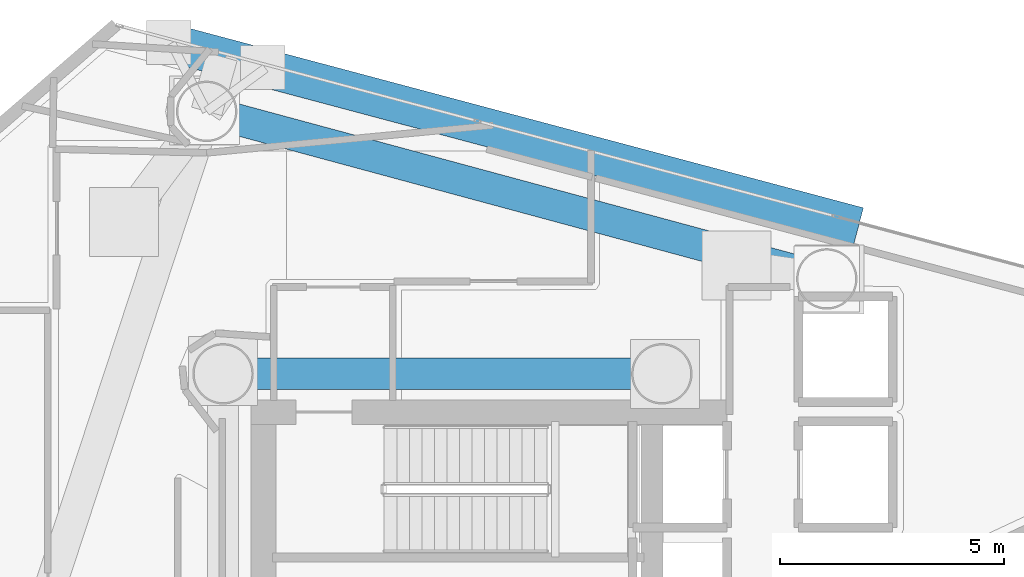
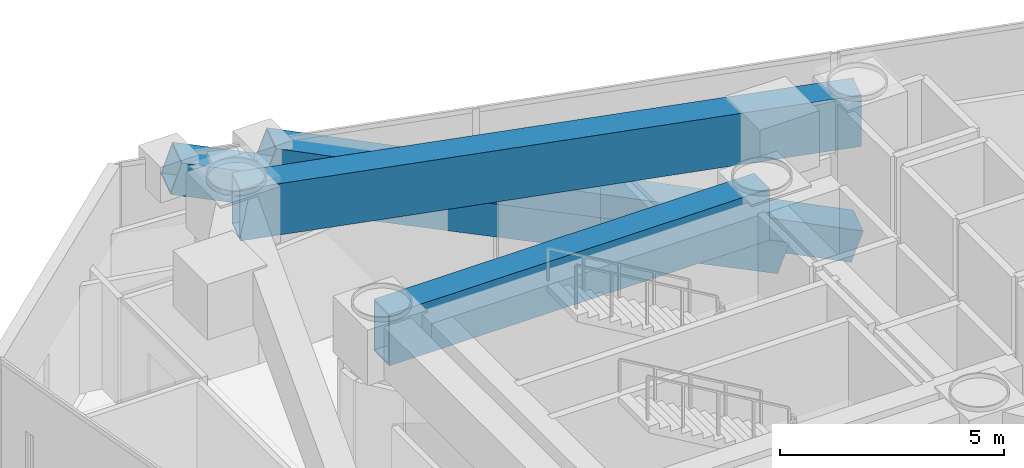
# One storey, part 11 of 22: 2 beams, 2 members.
"""IFC4 building model written with IfcOpenShell, lengths in metres."""

from ifc_helpers import new_model, si_unit, direction, frame, origin, origin_2d, place, context, subcontext, project, spatial, hollow_rectangle, extrude, material, material_profile, profile_set, type_object, element, save


model = new_model("IFC4")

# Units and contexts
model_context = context("Model", 3, precision=1e-05, world=origin(), true_north=direction((0.0, 1.0)))
body_context = subcontext(model_context, "Body", "Model", "MODEL_VIEW")
ifc_project = project(units=[si_unit("LENGTHUNIT", "METRE"), si_unit("AREAUNIT", "SQUARE_METRE"), si_unit("VOLUMEUNIT", "CUBIC_METRE"), si_unit("PLANEANGLEUNIT", "RADIAN"), si_unit("MASSUNIT", "GRAM", prefix="KILO")], contexts=[model_context])

# Site, building, storey
site_placement = place(None, origin())
site = spatial("IfcSite", under=ifc_project, at=site_placement, CompositionType="ELEMENT")
building_placement = place(site_placement, origin())
building = spatial("IfcBuilding", under=site, at=building_placement, Name="Qianvela Tower", CompositionType="ELEMENT")
storey_placement = place(building_placement, frame((0.0, 0.0, 184.60009765625)))
storey = spatial("IfcBuildingStorey", under=building, at=storey_placement, Name="L47", CompositionType="ELEMENT", Elevation=184.60009765625)

# Beams
ifc_material_1 = material(Name="Steel Q420GJC", Category="steel")
ifc_material_profile_1 = material_profile(ifc_material_1, hollow_rectangle(XDim=0.699951171875, YDim=1.39990234375, WallThickness=0.0400390625, at=origin_2d()), Name="TG-BOX-1400x700x40")
ifc_profile_set_1 = profile_set([ifc_material_profile_1], Name="Steel Q420GJC")
beam_type = type_object("IfcBeamType", Name="BM-TG-RAD-1400", PredefinedType="BEAM", material=ifc_profile_set_1)
beam_1_placement = place(storey_placement, frame((28.60009765625, 33.550048828125, 3.718017578125), z_axis=(1.0, 0.0, 0.0), x_axis=(0.0, 1.0, 0.0)))
element("IfcBeam", 1, at=beam_1_placement, inside=storey, type_object=beam_type, Name="L47 Core Ring Transfer Girder 3", PredefinedType="BEAM", context=body_context, shape_type="SweptSolid", body=[
    extrude(hollow_rectangle(XDim=0.699951171875, YDim=1.39990234375, WallThickness=0.0400390625, at=origin_2d()), origin(), (0.0, 0.0, 1.0), 9.7998046875),
])
beam_2_placement = place(storey_placement, frame((42.0830078125, 35.6689453125, 3.718017578125), z_axis=(-0.965376252239, 0.260861441407, 0.0), x_axis=(-0.260861441407, -0.965376252239, 0.0)))
element("IfcBeam", 2, at=beam_2_placement, inside=storey, type_object=beam_type, Name="L47 Perimeter Belt-Truss Top Ring Girder 2", PredefinedType="BEAM", context=body_context, shape_type="SweptSolid", body=[
    extrude(hollow_rectangle(XDim=0.699951171875, YDim=1.39990234375, WallThickness=0.0400390625, at=origin_2d()), origin(), (0.0, 0.0, 1.0), 14.344482421875),
])

# Members
ifc_material_2 = material(Name="Steel Q420GJC", Category="steel")
ifc_material_profile_2 = material_profile(ifc_material_2, hollow_rectangle(XDim=0.85009765625, YDim=0.85009765625, WallThickness=0.031982421875, at=origin_2d()), Name="MBOX-850x850x32")
ifc_profile_set_2 = profile_set([ifc_material_profile_2], Name="Steel Q420GJC")
member_type = type_object("IfcMemberType", Name="MBR-MBRACE-850", PredefinedType="BRACE", material=ifc_profile_set_2)
member_1_placement = place(storey_placement, frame((42.65673828125, 36.882080078125, -0.60205078125), z_axis=(-0.912656719283, 0.243057846834, 0.328604010688), x_axis=(-0.257349006187, -0.96631852358, 0.0)))
element("IfcMember", 3, at=member_1_placement, inside=storey, type_object=member_type, Name="L47 Tier 8 Exterior Mega-Brace F1A", PredefinedType="BRACE", context=body_context, shape_type="SweptSolid", body=[
    extrude(hollow_rectangle(XDim=0.85009765625, YDim=0.85009765625, WallThickness=0.031982421875, at=origin_2d()), origin(), (0.0, 0.0, 1.0), 14.36376953125),
])
member_2_placement = place(storey_placement, frame((41.011474609375, 37.320068359375, -0.60205078125), z_axis=(-0.915934126406, 0.24394250327, 0.318679668607), x_axis=(-0.257360651012, -0.966315422267, 0.0)))
element("IfcMember", 4, at=member_2_placement, inside=storey, type_object=member_type, Name="L47 Tier 8 Exterior Mega-Brace F1B", PredefinedType="BRACE", context=body_context, shape_type="SweptSolid", body=[
    extrude(hollow_rectangle(XDim=0.85009765625, YDim=0.85009765625, WallThickness=0.031982421875, at=origin_2d()), origin(), (0.0, 0.0, 1.0), 14.81103515625),
])

save(model, "model.ifc")
